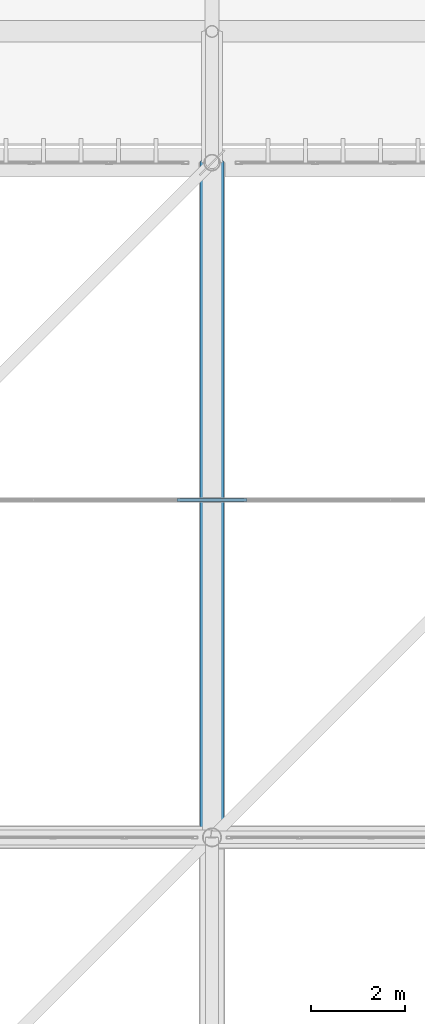
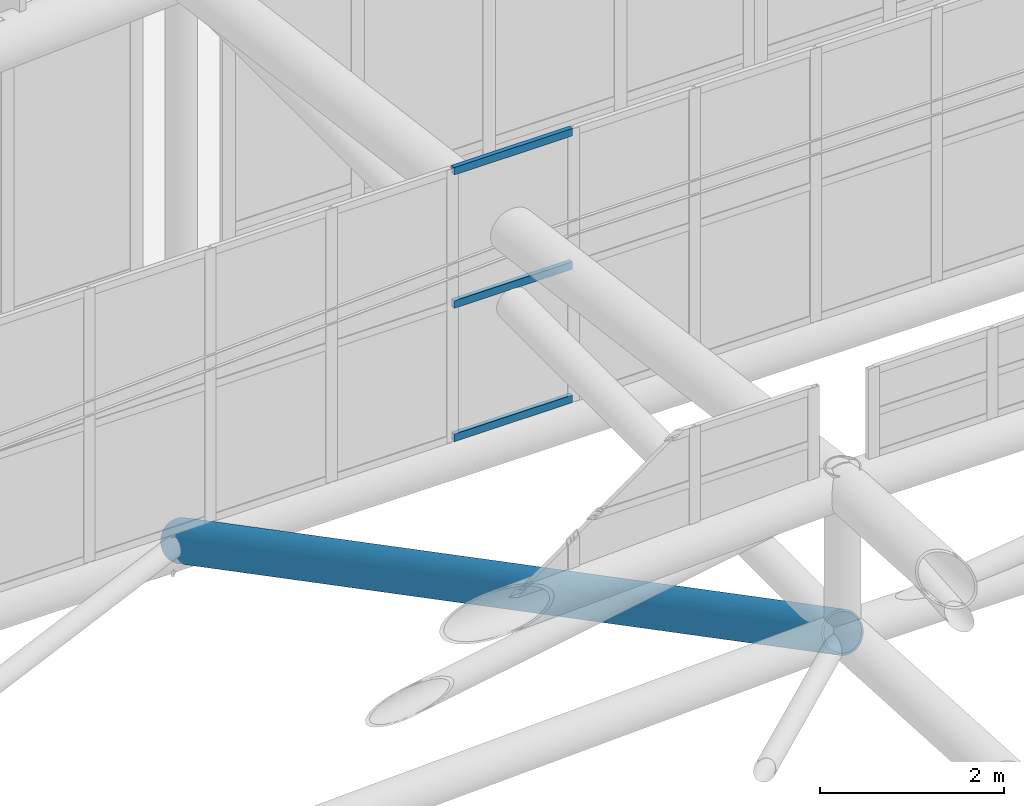
# One storey, part 252 of 397: 3 members, 1 beam, 1 element without a shape of its own.
"""IFC4 building model written with IfcOpenShell, lengths in metres."""

from ifc_helpers import new_model, si_unit, direction, frame, origin, origin_2d, place, context, subcontext, project, spatial, hollow_rectangle, hollow_circle, extrude, material, material_profile, profile_set, type_object, element, aggregate, save


model = new_model("IFC4")

# Units and contexts
model_context = context("Model", 3, precision=1e-05, world=origin(), true_north=direction((0.0, 1.0)))
body_context = subcontext(model_context, "Body", "Model", "MODEL_VIEW")
ifc_project = project(units=[si_unit("LENGTHUNIT", "METRE"), si_unit("AREAUNIT", "SQUARE_METRE"), si_unit("VOLUMEUNIT", "CUBIC_METRE"), si_unit("PLANEANGLEUNIT", "RADIAN"), si_unit("MASSUNIT", "GRAM", prefix="KILO")], contexts=[model_context])

# Site, building, storey
site_placement = place(None, origin())
site = spatial("IfcSite", under=ifc_project, at=site_placement, CompositionType="ELEMENT")
building_placement = place(site_placement, origin())
building = spatial("IfcBuilding", under=site, at=building_placement, Name="Qandorah Velis Arena", CompositionType="ELEMENT")
storey_placement = place(building_placement, frame((0.0, 0.0, 27.5)))
storey = spatial("IfcBuildingStorey", under=building, at=storey_placement, Name="RF", CompositionType="ELEMENT", Elevation=27.5)

# Curtain wall, members
ifc_material_1 = material(Name="Solar-control low-E double glazing", Category="glass")
curtain_wall_type = type_object("IfcCurtainWallType", Name="ARC-CW-SYS03", PredefinedType="USERDEFINED", material=ifc_material_1)
curtain_wall_placement = place(storey_placement, origin())
curtain_wall = element("IfcCurtainWall", 1, at=curtain_wall_placement, inside=storey, type_object=curtain_wall_type, Name="Unitised curtain wall MON-4-3", ObjectType="UNITISED CURTAIN WALL", PredefinedType="USERDEFINED")
ifc_material_2 = material(Name="Champagne-bronze anodized aluminium 6063-T6", Category="aluminium")
ifc_material_profile_1 = material_profile(ifc_material_2, hollow_rectangle(XDim=0.054931640625, YDim=0.10009765625, WallThickness=0.0029296875, at=origin_2d()), Name="ALU TRANSOM 55x100")
ifc_profile_set_1 = profile_set([ifc_material_profile_1], Name="Champagne-bronze anodized aluminium 6063-T6")
member_type = type_object("IfcMemberType", Name="ARC-CWT-100", PredefinedType="USERDEFINED", material=ifc_profile_set_1)
member_1_placement = place(storey_placement, frame((56.8544921875, 108.0, 6.107177734375), z_axis=(1.0, 0.0, 0.0), x_axis=(0.0, 1.0, 0.0)))
member_1 = element("IfcMember", 2, at=member_1_placement, type_object=member_type, Name="CW03 transom 5.1", ObjectType="TRANSOM", PredefinedType="USERDEFINED", context=body_context, shape_type="SweptSolid", body=[
    extrude(hollow_rectangle(XDim=0.054931640625, YDim=0.10009765625, WallThickness=0.0029296875, at=origin_2d()), origin(), (0.0, 0.0, 1.0), 1.4912109375),
])
member_2_placement = place(storey_placement, frame((56.8544921875, 108.0, 7.879638671875), z_axis=(1.0, 0.0, 0.0), x_axis=(0.0, 1.0, 0.0)))
member_2 = element("IfcMember", 3, at=member_2_placement, type_object=member_type, Name="CW03 transom 5.2", ObjectType="TRANSOM", PredefinedType="USERDEFINED", context=body_context, shape_type="SweptSolid", body=[
    extrude(hollow_rectangle(XDim=0.054931640625, YDim=0.10009765625, WallThickness=0.0029296875, at=origin_2d()), origin(), (0.0, 0.0, 1.0), 1.4912109375),
])
member_3_placement = place(storey_placement, frame((56.8544921875, 108.0, 9.652099609375), z_axis=(1.0, 0.0, 0.0), x_axis=(0.0, 1.0, 0.0)))
member_3 = element("IfcMember", 4, at=member_3_placement, type_object=member_type, Name="CW03 transom 5.3", ObjectType="TRANSOM", PredefinedType="USERDEFINED", context=body_context, shape_type="SweptSolid", body=[
    extrude(hollow_rectangle(XDim=0.054931640625, YDim=0.10009765625, WallThickness=0.0029296875, at=origin_2d()), origin(), (0.0, 0.0, 1.0), 1.4912109375),
])
aggregate(curtain_wall, [member_1, member_2, member_3])

# Beam
ifc_material_3 = material(Name="Steel S355", Category="steel")
ifc_material_profile_2 = material_profile(ifc_material_3, hollow_circle(Radius=0.25390625, WallThickness=0.02490234375, at=origin_2d()), Name="CHS 508x25")
ifc_profile_set_2 = profile_set([ifc_material_profile_2], Name="Steel S355")
beam_type = type_object("IfcBeamType", Name="STR-SFC-CHS508X25", PredefinedType="USERDEFINED", material=ifc_profile_set_2)
beam_placement = place(storey_placement, frame((57.60009765625, 100.800048828125, 7.61328125), z_axis=(0.0, 0.886580021786, -0.462575253305), x_axis=(-1.0, 0.0, 0.0)))
element("IfcBeam", 5, at=beam_placement, inside=storey, type_object=beam_type, Name="Space frame roof truss bottom chord Y 3.6", ObjectType="ROOF TRUSS", PredefinedType="USERDEFINED", context=body_context, shape_type="SweptSolid", body=[
    extrude(hollow_circle(Radius=0.25390625, WallThickness=0.02490234375, at=origin_2d()), origin(), (0.0, 0.0, 1.0), 16.2421875),
])

save(model, "model.ifc")
